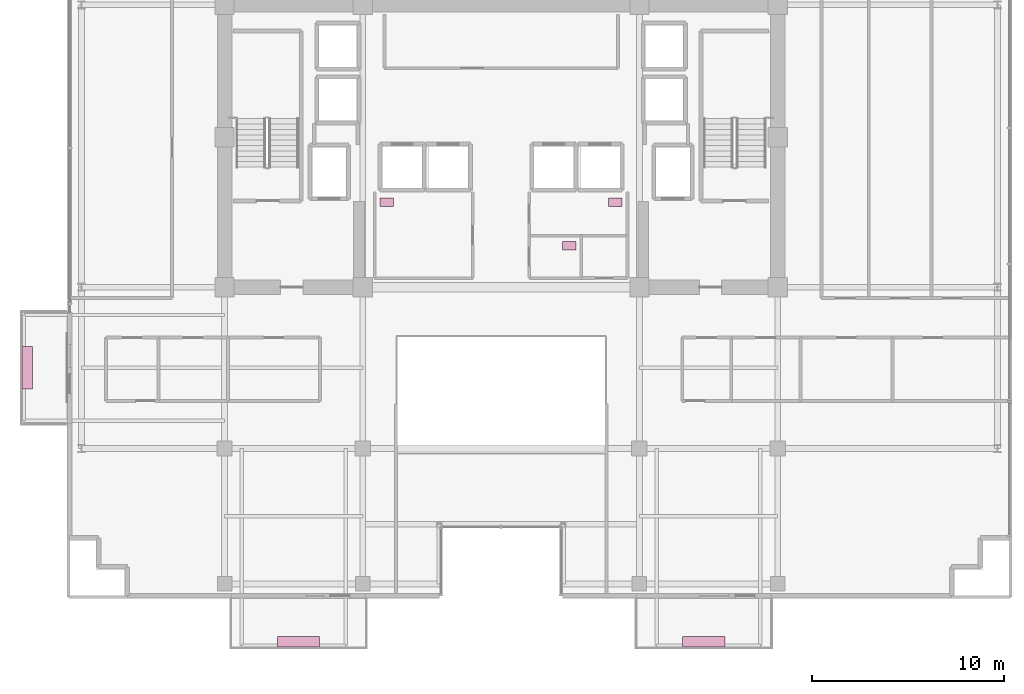
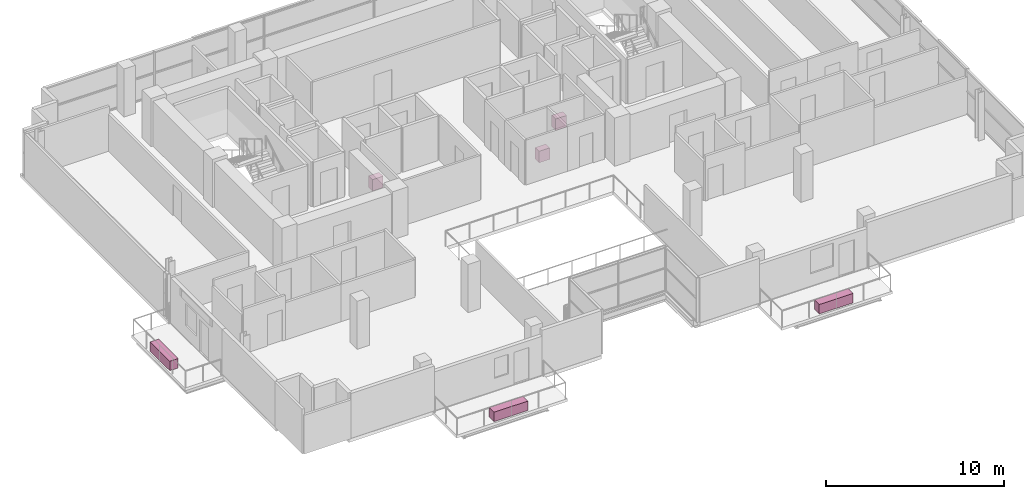
# One storey, part 21 of 21: 6 furnishings.
"""IFC4 building model written with IfcOpenShell, lengths in metres."""

from ifc_helpers import new_model, si_unit, direction, frame, origin, origin_2d, place, context, subcontext, project, spatial, rectangle, extrude, source, transform, mapped, material, type_object, element, save


model = new_model("IFC4")

# Units and contexts
model_context = context("Model", 3, precision=1e-05, world=origin(), true_north=direction((0.0, 1.0)))
body_context = subcontext(model_context, "Body", "Model", "MODEL_VIEW")
ifc_project = project(units=[si_unit("LENGTHUNIT", "METRE"), si_unit("AREAUNIT", "SQUARE_METRE"), si_unit("VOLUMEUNIT", "CUBIC_METRE"), si_unit("PLANEANGLEUNIT", "RADIAN"), si_unit("MASSUNIT", "GRAM", prefix="KILO")], contexts=[model_context])

# Site, building, storey
site_placement = place(None, origin())
site = spatial("IfcSite", under=ifc_project, at=site_placement, CompositionType="ELEMENT")
building_placement = place(site_placement, origin())
building = spatial("IfcBuilding", under=site, at=building_placement, Name="Zarnakvel Exchange Tower", CompositionType="ELEMENT")
storey_placement = place(building_placement, frame((0.0, 0.0, 185.800048828125)))
storey = spatial("IfcBuildingStorey", under=building, at=storey_placement, Name="L52", CompositionType="ELEMENT", Elevation=185.800048828125)

# Furnishings
ifc_material_1 = material(Name="Architectural Bronze Anodised Aluminium", Category="aluminium")
furnishing_element_type_1 = type_object("IfcFurnishingElementType", Name="PLNT-01", material=ifc_material_1)
shared_shape_1 = source(origin(), body_context, "Body", "SweptSolid", [
    extrude(rectangle(XDim=2.199951171875, YDim=0.550048828125, at=origin_2d()), origin(), (0.0, 0.0, 1.0), 0.64990234375),
])
for number, where, z_axis, x_axis, name in (
    (1, (-10.550048828125, -19.669921875, -0.034912109375), (0.0, 0.0, 1.0), (1.0, 0.0, 0.0), "L52 Balcony Greenery Planter BAL-L52-SW"),
    (2, (10.550048828125, -19.669921875, -0.034912109375), (0.0, 0.0, 1.0), (1.0, 0.0, 0.0), "L52 Balcony Greenery Planter BAL-L52-SE"),
    (3, (-24.669921875, -5.39990234375, -0.034912109375), (0.0, 0.0, 1.0), (0.0, 1.0, 0.0), "L52 Balcony Greenery Planter BAL-L52-W"),
):
    element("IfcFurnishingElement", number, at=place(storey_placement, frame(where, z_axis=z_axis, x_axis=x_axis)), inside=storey, type_object=furnishing_element_type_1, Name=name, ObjectType="PLANTER", context=body_context, shape_type="MappedRepresentation", body=[
        mapped(shared_shape_1, transform((0.0, 0.0, 0.0), x_axis=(1.0, 0.0, 0.0), y_axis=(0.0, 1.0, 0.0), z_axis=(0.0, 0.0, 1.0), scale=1.0)),
    ])
ifc_material_2 = material(Name="Vitreous China Sanitaryware", Category="ceramic")
furnishing_element_type_2 = type_object("IfcFurnishingElementType", Name="SAN-WC", material=ifc_material_2)
shared_shape_2 = source(origin(), body_context, "Body", "SweptSolid", [
    extrude(rectangle(XDim=0.699951171875, YDim=0.449951171875, at=origin_2d()), origin(), (0.0, 0.0, 1.0), 0.780029296875),
])
for number, where, z_axis, x_axis, name in (
    (4, (-5.949951171875, 3.22998046875, 0.0), (0.0, 0.0, 1.0), (1.0, 0.0, 0.0), "L52 Sanitary Fixture (Male Toilet)"),
    (5, (5.949951171875, 3.22998046875, 0.0), (0.0, 0.0, 1.0), (1.0, 0.0, 0.0), "L52 Sanitary Fixture (Female Toilet)"),
    (6, (3.550048828125, 0.949951171875, 0.0), (0.0, 0.0, 1.0), (1.0, 0.0, 0.0), "L52 Sanitary Fixture (Accessible Toilet)"),
):
    element("IfcFurnishingElement", number, at=place(storey_placement, frame(where, z_axis=z_axis, x_axis=x_axis)), inside=storey, type_object=furnishing_element_type_2, Name=name, ObjectType="SANITARY_FIXTURE", context=body_context, shape_type="MappedRepresentation", body=[
        mapped(shared_shape_2, transform((0.0, 0.0, 0.0), x_axis=(1.0, 0.0, 0.0), y_axis=(0.0, 1.0, 0.0), z_axis=(0.0, 0.0, 1.0), scale=1.0)),
    ])

save(model, "model.ifc")
